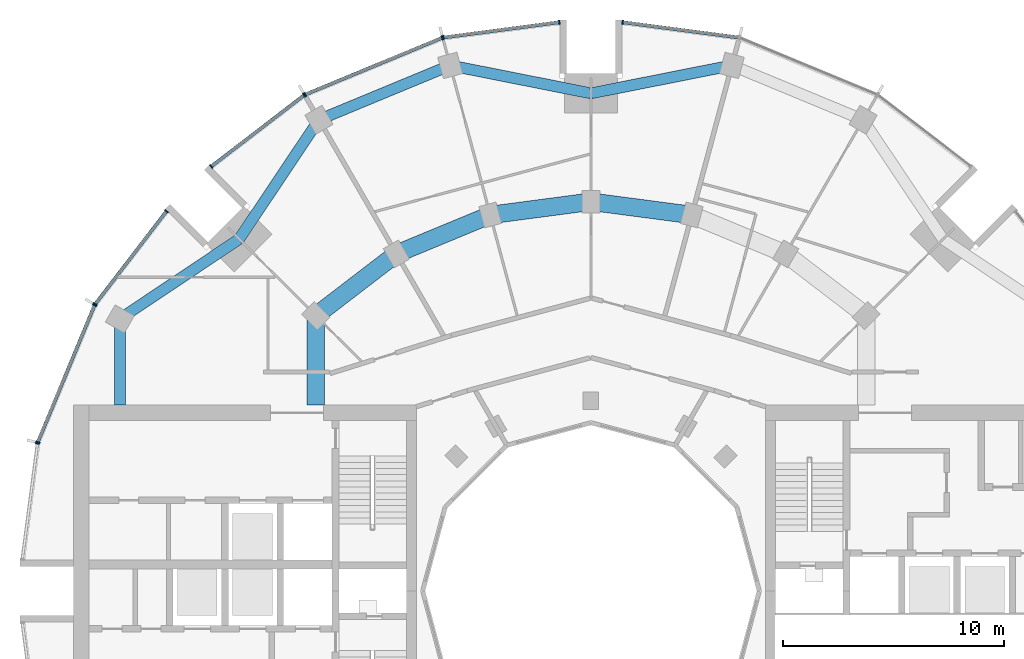
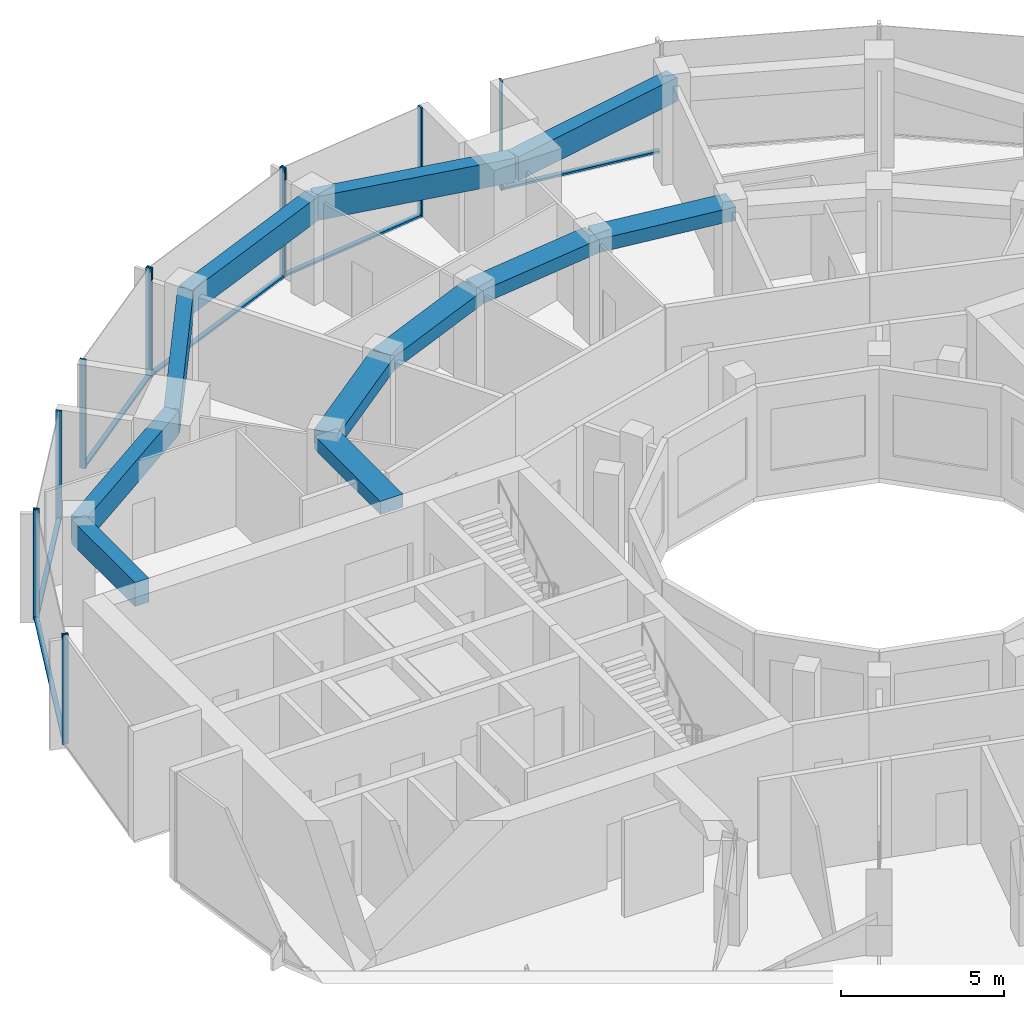
# One storey, part 5 of 15: 18 members, 11 beams, 7 elements without a shape of their own.
"""IFC4 building model written with IfcOpenShell, lengths in metres."""

from ifc_helpers import new_model, si_unit, direction, frame, origin, origin_2d, place, context, subcontext, project, spatial, rectangle, extrude, material, layer, layer_set, material_profile, profile_set, type_object, element, aggregate, save


model = new_model("IFC4")

# Units and contexts
model_context = context("Model", 3, precision=1e-05, world=origin(), true_north=direction((0.0, 1.0)))
body_context = subcontext(model_context, "Body", "Model", "MODEL_VIEW")
ifc_project = project(units=[si_unit("LENGTHUNIT", "METRE"), si_unit("AREAUNIT", "SQUARE_METRE"), si_unit("VOLUMEUNIT", "CUBIC_METRE"), si_unit("PLANEANGLEUNIT", "RADIAN"), si_unit("MASSUNIT", "GRAM", prefix="KILO")], contexts=[model_context])

# Site, building, storey
site_placement = place(None, origin())
site = spatial("IfcSite", under=ifc_project, at=site_placement, CompositionType="ELEMENT")
building_placement = place(site_placement, origin())
building = spatial("IfcBuilding", under=site, at=building_placement, Name="Torre Brocal", CompositionType="ELEMENT")
storey_placement = place(building_placement, frame((0.0, 0.0, 174.10009765625)))
storey = spatial("IfcBuildingStorey", under=building, at=storey_placement, Name="L40", CompositionType="ELEMENT", Elevation=174.10009765625)

# Curtain wall, member
ifc_material_1 = material(Name="Aluminium and glass", Category="aluminium")
ifc_layer_1 = layer(ifc_material_1, 0.199951171875)
ifc_layer_set_1 = layer_set([ifc_layer_1], Name="Aluminium and glass")
curtain_wall_type_1 = type_object("IfcCurtainWallType", Name="CW-1 CURTAIN WALL 4100 HIGH", PredefinedType="NOTDEFINED", material=ifc_layer_set_1)
curtain_wall_1_placement = place(storey_placement, origin())
curtain_wall_1 = element("IfcCurtainWall", 1, at=curtain_wall_1_placement, inside=storey, type_object=curtain_wall_type_1, Name="CW-1 RUN 6", PredefinedType="NOTDEFINED")
ifc_material_2 = material(Name="Aluminium, dark anodised", Category="aluminium")
ifc_material_profile_1 = material_profile(ifc_material_2, rectangle(XDim=0.199951171875, YDim=0.06005859375, at=origin_2d()), Name="CW-1 MULLION 60X200")
ifc_profile_set_1 = profile_set([ifc_material_profile_1], Name="Aluminium, dark anodised")
member_type_1 = type_object("IfcMemberType", Name="CW-1 MULLION 60X200", PredefinedType="MULLION", material=ifc_profile_set_1)
member_1_placement = place(storey_placement, frame((81.4296875, 100.7109375, 0.0), z_axis=(0.0, 0.0, 1.0), x_axis=(-0.13052619222, -0.991444861374, 0.0)))
member_1 = element("IfcMember", 2, at=member_1_placement, type_object=member_type_1, Name="CW1-4 mullion 2", PredefinedType="MULLION", context=body_context, shape_type="SweptSolid", body=[
    extrude(rectangle(XDim=0.199951171875, YDim=0.06005859375, at=origin_2d()), origin(), (0.0, 0.0, 1.0), 4.099853515625),
])

# Curtain wall, members
curtain_wall_2_placement = place(storey_placement, origin())
curtain_wall_2 = element("IfcCurtainWall", 3, at=curtain_wall_2_placement, inside=storey, type_object=curtain_wall_type_1, Name="CW-1 RUN 7", PredefinedType="NOTDEFINED")
member_2_placement = place(storey_placement, frame((78.5703125, 100.7109375, 0.0), z_axis=(0.0, 0.0, 1.0), x_axis=(0.13052619222, -0.991444861374, 0.0)))
member_2 = element("IfcMember", 4, at=member_2_placement, type_object=member_type_1, Name="CW1-4 mullion 1", PredefinedType="MULLION", context=body_context, shape_type="SweptSolid", body=[
    extrude(rectangle(XDim=0.199951171875, YDim=0.06005859375, at=origin_2d()), origin(), (0.0, 0.0, 1.0), 4.099853515625),
])
member_3_placement = place(storey_placement, frame((73.32666015625, 100.0205078125, 0.0), z_axis=(0.0, 0.0, 1.0), x_axis=(0.13052619222, -0.991444861374, 0.0)))
member_3 = element("IfcMember", 5, at=member_3_placement, type_object=member_type_1, Name="CW1-4 mullion 2", PredefinedType="MULLION", context=body_context, shape_type="SweptSolid", body=[
    extrude(rectangle(XDim=0.199951171875, YDim=0.06005859375, at=origin_2d()), origin(), (0.0, 0.0, 1.0), 4.099853515625),
])

curtain_wall_3_placement = place(storey_placement, origin())
curtain_wall_3 = element("IfcCurtainWall", 6, at=curtain_wall_3_placement, inside=storey, type_object=curtain_wall_type_1, Name="CW-1 RUN 8", PredefinedType="NOTDEFINED")
member_4_placement = place(storey_placement, frame((73.26904296875, 100.005126953125, 0.0), z_axis=(0.0, 0.0, 1.0), x_axis=(0.382683432333, -0.923879532525, 0.0)))
member_4 = element("IfcMember", 7, at=member_4_placement, type_object=member_type_1, Name="CW1-4 mullion 1", PredefinedType="MULLION", context=body_context, shape_type="SweptSolid", body=[
    extrude(rectangle(XDim=0.199951171875, YDim=0.06005859375, at=origin_2d()), origin(), (0.0, 0.0, 1.0), 4.099853515625),
])
member_5_placement = place(storey_placement, frame((67.078125, 97.440673828125, 0.0), z_axis=(0.0, 0.0, 1.0), x_axis=(0.382683432333, -0.923879532525, 0.0)))
member_5 = element("IfcMember", 8, at=member_5_placement, type_object=member_type_1, Name="CW1-4 mullion 2", PredefinedType="MULLION", context=body_context, shape_type="SweptSolid", body=[
    extrude(rectangle(XDim=0.199951171875, YDim=0.06005859375, at=origin_2d()), origin(), (0.0, 0.0, 1.0), 4.099853515625),
])

curtain_wall_4_placement = place(storey_placement, origin())
curtain_wall_4 = element("IfcCurtainWall", 9, at=curtain_wall_4_placement, inside=storey, type_object=curtain_wall_type_1, Name="CW-1 RUN 9", PredefinedType="NOTDEFINED")
member_6_placement = place(storey_placement, frame((67.026611328125, 97.4111328125, 0.0), z_axis=(0.0, 0.0, 1.0), x_axis=(0.60876142905, -0.793353340259, 0.0)))
member_6 = element("IfcMember", 10, at=member_6_placement, type_object=member_type_1, Name="CW1-4 mullion 1", PredefinedType="MULLION", context=body_context, shape_type="SweptSolid", body=[
    extrude(rectangle(XDim=0.199951171875, YDim=0.06005859375, at=origin_2d()), origin(), (0.0, 0.0, 1.0), 4.099853515625),
])
member_7_placement = place(storey_placement, frame((62.83056640625, 94.19140625, 0.0), z_axis=(0.0, 0.0, 1.0), x_axis=(0.60876142905, -0.793353340259, 0.0)))
member_7 = element("IfcMember", 11, at=member_7_placement, type_object=member_type_1, Name="CW1-4 mullion 2", PredefinedType="MULLION", context=body_context, shape_type="SweptSolid", body=[
    extrude(rectangle(XDim=0.199951171875, YDim=0.06005859375, at=origin_2d()), origin(), (0.0, 0.0, 1.0), 4.099853515625),
])

curtain_wall_5_placement = place(storey_placement, origin())
curtain_wall_5 = element("IfcCurtainWall", 12, at=curtain_wall_5_placement, inside=storey, type_object=curtain_wall_type_1, Name="CW-1 RUN 10", PredefinedType="NOTDEFINED")
member_8_placement = place(storey_placement, frame((60.80859375, 92.16943359375, 0.0), z_axis=(0.0, 0.0, 1.0), x_axis=(0.793353340259, -0.60876142905, 0.0)))
member_8 = element("IfcMember", 13, at=member_8_placement, type_object=member_type_1, Name="CW1-4 mullion 1", PredefinedType="MULLION", context=body_context, shape_type="SweptSolid", body=[
    extrude(rectangle(XDim=0.199951171875, YDim=0.06005859375, at=origin_2d()), origin(), (0.0, 0.0, 1.0), 4.099853515625),
])
member_9_placement = place(storey_placement, frame((57.5888671875, 87.973388671875, 0.0), z_axis=(0.0, 0.0, 1.0), x_axis=(0.793353340259, -0.60876142905, 0.0)))
member_9 = element("IfcMember", 14, at=member_9_placement, type_object=member_type_1, Name="CW1-4 mullion 2", PredefinedType="MULLION", context=body_context, shape_type="SweptSolid", body=[
    extrude(rectangle(XDim=0.199951171875, YDim=0.06005859375, at=origin_2d()), origin(), (0.0, 0.0, 1.0), 4.099853515625),
])

curtain_wall_6_placement = place(storey_placement, origin())
curtain_wall_6 = element("IfcCurtainWall", 15, at=curtain_wall_6_placement, inside=storey, type_object=curtain_wall_type_1, Name="CW-1 RUN 11", PredefinedType="NOTDEFINED")
member_10_placement = place(storey_placement, frame((57.559326171875, 87.921875, 0.0), z_axis=(0.0, 0.0, 1.0), x_axis=(0.923879532525, -0.382683432333, 0.0)))
member_10 = element("IfcMember", 16, at=member_10_placement, type_object=member_type_1, Name="CW1-4 mullion 1", PredefinedType="MULLION", context=body_context, shape_type="SweptSolid", body=[
    extrude(rectangle(XDim=0.199951171875, YDim=0.06005859375, at=origin_2d()), origin(), (0.0, 0.0, 1.0), 4.099853515625),
])
member_11_placement = place(storey_placement, frame((54.994873046875, 81.73095703125, 0.0), z_axis=(0.0, 0.0, 1.0), x_axis=(0.923879532525, -0.382683432333, 0.0)))
member_11 = element("IfcMember", 17, at=member_11_placement, type_object=member_type_1, Name="CW1-4 mullion 2", PredefinedType="MULLION", context=body_context, shape_type="SweptSolid", body=[
    extrude(rectangle(XDim=0.199951171875, YDim=0.06005859375, at=origin_2d()), origin(), (0.0, 0.0, 1.0), 4.099853515625),
])

# Member
ifc_material_3 = material(Name="Aluminium, dark anodised", Category="aluminium")
ifc_material_profile_2 = material_profile(ifc_material_3, rectangle(XDim=0.159912109375, YDim=0.080078125, at=origin_2d()), Name="CW-1 TRANSOM 160X80")
ifc_profile_set_2 = profile_set([ifc_material_profile_2], Name="Aluminium, dark anodised")
member_type_2 = type_object("IfcMemberType", Name="CW-1 TRANSOM 160X80", PredefinedType="USERDEFINED", material=ifc_profile_set_2)
member_12_placement = place(storey_placement, frame((86.643798828125, 100.0244140625, 0.039794921875), z_axis=(-0.991442690863, 0.130542677827, 0.0), x_axis=(-0.130542677827, -0.991442690863, 0.0)))
member_12 = element("IfcMember", 18, at=member_12_placement, type_object=member_type_2, Name="CW1-4 transom 1.1", ObjectType="TRANSOM", PredefinedType="USERDEFINED", context=body_context, shape_type="SweptSolid", body=[
    extrude(rectangle(XDim=0.159912109375, YDim=0.080078125, at=origin_2d()), origin(), (0.0, 0.0, 1.0), 5.22900390625),
])

aggregate(curtain_wall_1, [member_1, member_12])

member_13_placement = place(storey_placement, frame((78.54052734375, 100.70703125, 0.039794921875), z_axis=(-0.991442690863, -0.130542677827, 0.0), x_axis=(0.130542677827, -0.991442690863, 0.0)))
member_13 = element("IfcMember", 19, at=member_13_placement, type_object=member_type_2, Name="CW1-4 transom 1.1", ObjectType="TRANSOM", PredefinedType="USERDEFINED", context=body_context, shape_type="SweptSolid", body=[
    extrude(rectangle(XDim=0.159912109375, YDim=0.080078125, at=origin_2d()), origin(), (0.0, 0.0, 1.0), 5.22900390625),
])

aggregate(curtain_wall_2, [member_2, member_3, member_13])

member_14_placement = place(storey_placement, frame((73.241455078125, 99.99365234375, 0.039794921875), z_axis=(-0.923887344364, -0.38266457234, 0.0), x_axis=(0.38266457234, -0.923887344364, 0.0)))
member_14 = element("IfcMember", 20, at=member_14_placement, type_object=member_type_2, Name="CW1-4 transom 1.1", ObjectType="TRANSOM", PredefinedType="USERDEFINED", context=body_context, shape_type="SweptSolid", body=[
    extrude(rectangle(XDim=0.159912109375, YDim=0.080078125, at=origin_2d()), origin(), (0.0, 0.0, 1.0), 6.640869140625),
])

aggregate(curtain_wall_3, [member_4, member_5, member_14])

member_15_placement = place(storey_placement, frame((67.0029296875, 97.392822265625, 0.039794921875), z_axis=(-0.79336281513, -0.60874908096, 0.0), x_axis=(0.60874908096, -0.79336281513, 0.0)))
member_15 = element("IfcMember", 21, at=member_15_placement, type_object=member_type_2, Name="CW1-4 transom 1.1", ObjectType="TRANSOM", PredefinedType="USERDEFINED", context=body_context, shape_type="SweptSolid", body=[
    extrude(rectangle(XDim=0.159912109375, YDim=0.080078125, at=origin_2d()), origin(), (0.0, 0.0, 1.0), 5.22900390625),
])

aggregate(curtain_wall_4, [member_6, member_7, member_15])

member_16_placement = place(storey_placement, frame((60.790283203125, 92.1455078125, 0.039794921875), z_axis=(-0.60874908096, -0.79336281513, 0.0), x_axis=(0.79336281513, -0.60874908096, 0.0)))
member_16 = element("IfcMember", 22, at=member_16_placement, type_object=member_type_2, Name="CW1-4 transom 1.1", ObjectType="TRANSOM", PredefinedType="USERDEFINED", context=body_context, shape_type="SweptSolid", body=[
    extrude(rectangle(XDim=0.159912109375, YDim=0.080078125, at=origin_2d()), origin(), (0.0, 0.0, 1.0), 5.22900390625),
])

aggregate(curtain_wall_5, [member_8, member_9, member_16])

member_17_placement = place(storey_placement, frame((57.547607421875, 87.89404296875, 0.039794921875), z_axis=(-0.38266457234, -0.923887344364, 0.0), x_axis=(0.923887344364, -0.38266457234, 0.0)))
member_17 = element("IfcMember", 23, at=member_17_placement, type_object=member_type_2, Name="CW1-4 transom 1.1", ObjectType="TRANSOM", PredefinedType="USERDEFINED", context=body_context, shape_type="SweptSolid", body=[
    extrude(rectangle(XDim=0.159912109375, YDim=0.080078125, at=origin_2d()), origin(), (0.0, 0.0, 1.0), 6.640869140625),
])

aggregate(curtain_wall_6, [member_10, member_11, member_17])

# Curtain wall, member
ifc_material_4 = material(Name="Aluminium and glass", Category="aluminium")
ifc_layer_2 = layer(ifc_material_4, 0.199951171875)
ifc_layer_set_2 = layer_set([ifc_layer_2], Name="Aluminium and glass")
curtain_wall_type_2 = type_object("IfcCurtainWallType", Name="CW-1B CURTAIN WALL 4100 HIGH", PredefinedType="NOTDEFINED", material=ifc_layer_set_2)
curtain_wall_7_placement = place(storey_placement, origin())
curtain_wall_7 = element("IfcCurtainWall", 24, at=curtain_wall_7_placement, inside=storey, type_object=curtain_wall_type_2, Name="CW-1B RUN 12", PredefinedType="NOTDEFINED")
ifc_material_5 = material(Name="Aluminium, dark anodised", Category="aluminium")
ifc_material_profile_3 = material_profile(ifc_material_5, rectangle(XDim=0.199951171875, YDim=0.06005859375, at=origin_2d()), Name="CW-1B MULLION 60X200")
ifc_profile_set_3 = profile_set([ifc_material_profile_3], Name="Aluminium, dark anodised")
member_type_3 = type_object("IfcMemberType", Name="CW-1B MULLION 60X200", PredefinedType="MULLION", material=ifc_profile_set_3)
member_18_placement = place(storey_placement, frame((54.9794921875, 81.67333984375, 0.0), z_axis=(0.0, 0.0, 1.0), x_axis=(0.991444861374, -0.13052619222, 0.0)))
member_18 = element("IfcMember", 25, at=member_18_placement, type_object=member_type_3, Name="CW1B-4 mullion 1", PredefinedType="MULLION", context=body_context, shape_type="SweptSolid", body=[
    extrude(rectangle(XDim=0.199951171875, YDim=0.06005859375, at=origin_2d()), origin(), (0.0, 0.0, 1.0), 4.099853515625),
])
aggregate(curtain_wall_7, [member_18])

# Beams
ifc_material_6 = material(Name="Concrete C50", Category="concrete")
ifc_material_profile_4 = material_profile(ifc_material_6, rectangle(XDim=0.800048828125, YDim=0.5, at=origin_2d()), Name="RC 800X500")
ifc_profile_set_4 = profile_set([ifc_material_profile_4], Name="Concrete C50")
beam_type_1 = type_object("IfcBeamType", Name="RC BEAM 800X500 C50 TOP 3780", PredefinedType="BEAM", material=ifc_profile_set_4)
for number, where, z_axis, x_axis, name in (
    (26, (84.55517578125, 92.000244140625, 3.52978515625), (-0.991440544449, 0.130558978332, 0.0), (-0.130558978332, -0.991440544449, 0.0), "Beam BT-32"),
    (27, (80.0, 92.60009765625, 3.52978515625), (-0.991440544449, -0.130558978332, 0.0), (0.130558978332, -0.991440544449, 0.0), "Beam BT-32"),
):
    element("IfcBeam", number, at=place(storey_placement, frame(where, z_axis=z_axis, x_axis=x_axis)), inside=storey, type_object=beam_type_1, Name=name, PredefinedType="BEAM", context=body_context, shape_type="SweptSolid", body=[
        extrude(rectangle(XDim=0.800048828125, YDim=0.5, at=origin_2d()), origin(), (0.0, 0.0, 1.0), 4.594482421875),
    ])
beam_1_placement = place(storey_placement, frame((75.44482421875, 92.000244140625, 3.52978515625), z_axis=(-0.923878240166, -0.382686552348, 0.0), x_axis=(0.382686552348, -0.923878240166, 0.0)))
element("IfcBeam", 28, at=beam_1_placement, inside=storey, type_object=beam_type_1, Name="Beam BT-32", PredefinedType="BEAM", context=body_context, shape_type="SweptSolid", body=[
    extrude(rectangle(XDim=0.800048828125, YDim=0.5, at=origin_2d()), origin(), (0.0, 0.0, 1.0), 4.5947265625),
])
beam_2_placement = place(storey_placement, frame((71.199951171875, 90.241943359375, 3.52978515625), z_axis=(-0.793358265959, -0.6087550097, 0.0), x_axis=(0.6087550097, -0.793358265959, 0.0)))
element("IfcBeam", 29, at=beam_2_placement, inside=storey, type_object=beam_type_1, Name="Beam BT-32", PredefinedType="BEAM", context=body_context, shape_type="SweptSolid", body=[
    extrude(rectangle(XDim=0.800048828125, YDim=0.5, at=origin_2d()), origin(), (0.0, 0.0, 1.0), 4.594482421875),
])
beam_3_placement = place(storey_placement, frame((67.554931640625, 87.445068359375, 3.52978515625), z_axis=(0.0, -1.0, 0.0), x_axis=(1.0, 0.0, 0.0)))
element("IfcBeam", 30, at=beam_3_placement, inside=storey, type_object=beam_type_1, Name="Beam BT-32", PredefinedType="BEAM", context=body_context, shape_type="SweptSolid", body=[
    extrude(rectangle(XDim=0.800048828125, YDim=0.5, at=origin_2d()), origin(), (0.0, 0.0, 1.0), 4.045166015625),
])
ifc_material_7 = material(Name="Concrete C50", Category="concrete")
ifc_material_profile_5 = material_profile(ifc_material_7, rectangle(XDim=0.5, YDim=0.89990234375, at=origin_2d()), Name="RC 500X900")
ifc_profile_set_5 = profile_set([ifc_material_profile_5], Name="Concrete C50")
beam_type_2 = type_object("IfcBeamType", Name="RC SPANDREL BEAM 500X900 C50 TOP 3780", PredefinedType="SPANDREL", material=ifc_profile_set_5)
for number, where, z_axis, x_axis, name in (
    (31, (86.366943359375, 98.76171875, 3.329833984375), (-0.980924907484, -0.194387051723, 0.0), (0.194387051723, -0.980924907484, 0.0), "Beam BT-33"),
    (32, (80.0, 97.5, 3.329833984375), (-0.980924907484, 0.194387051723, 0.0), (-0.194387051723, -0.980924907484, 0.0), "Beam BT-33"),
):
    element("IfcBeam", number, at=place(storey_placement, frame(where, z_axis=z_axis, x_axis=x_axis)), inside=storey, type_object=beam_type_2, Name=name, PredefinedType="SPANDREL", context=body_context, shape_type="SweptSolid", body=[
        extrude(rectangle(XDim=0.5, YDim=0.89990234375, at=origin_2d()), origin(), (0.0, 0.0, 1.0), 6.49072265625),
    ])
beam_4_placement = place(storey_placement, frame((73.633056640625, 98.76171875, 3.329833984375), z_axis=(-0.923882462513, -0.382676358639, 0.0), x_axis=(0.382676358639, -0.923882462513, 0.0)))
element("IfcBeam", 33, at=beam_4_placement, inside=storey, type_object=beam_type_2, Name="Beam BT-33", PredefinedType="SPANDREL", context=body_context, shape_type="SweptSolid", body=[
    extrude(rectangle(XDim=0.5, YDim=0.89990234375, at=origin_2d()), origin(), (0.0, 0.0, 1.0), 6.421875),
])
for number, where, z_axis, x_axis, name in (
    (34, (67.699951171875, 96.30419921875, 3.329833984375), (-0.556157602282, -0.831076844476, 0.0), (0.831076844476, -0.556157602282, 0.0), "Beam BT-33"),
    (35, (64.090087890625, 90.909912109375, 3.329833984375), (-0.831076844476, -0.556157602282, 0.0), (0.556157602282, -0.831076844476, 0.0), "Beam BT-33"),
):
    element("IfcBeam", number, at=place(storey_placement, frame(where, z_axis=z_axis, x_axis=x_axis)), inside=storey, type_object=beam_type_2, Name=name, PredefinedType="SPANDREL", context=body_context, shape_type="SweptSolid", body=[
        extrude(rectangle(XDim=0.5, YDim=0.89990234375, at=origin_2d()), origin(), (0.0, 0.0, 1.0), 6.49072265625),
    ])
beam_5_placement = place(storey_placement, frame((58.69580078125, 87.300048828125, 3.329833984375), z_axis=(0.0, -1.0, 0.0), x_axis=(1.0, 0.0, 0.0)))
element("IfcBeam", 36, at=beam_5_placement, inside=storey, type_object=beam_type_2, Name="Beam BT-33", PredefinedType="SPANDREL", context=body_context, shape_type="SweptSolid", body=[
    extrude(rectangle(XDim=0.5, YDim=0.89990234375, at=origin_2d()), origin(), (0.0, 0.0, 1.0), 3.900146484375),
])

save(model, "model.ifc")
